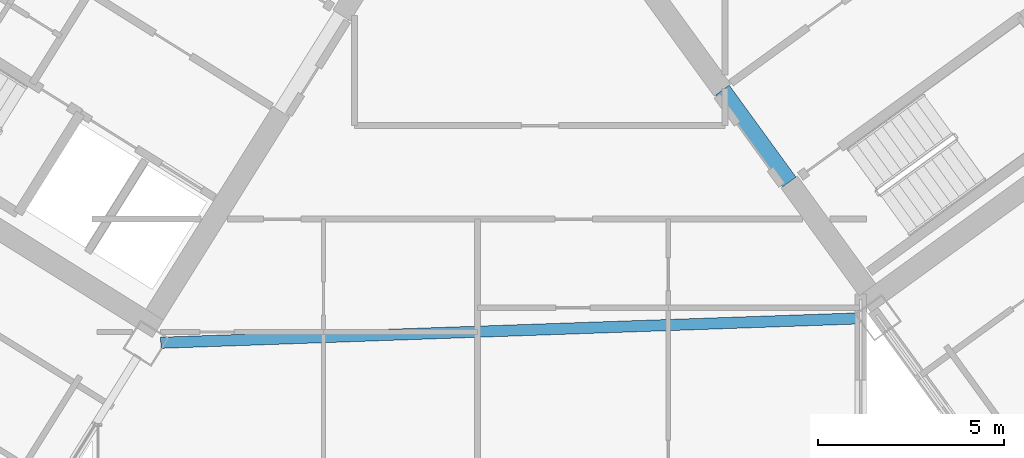
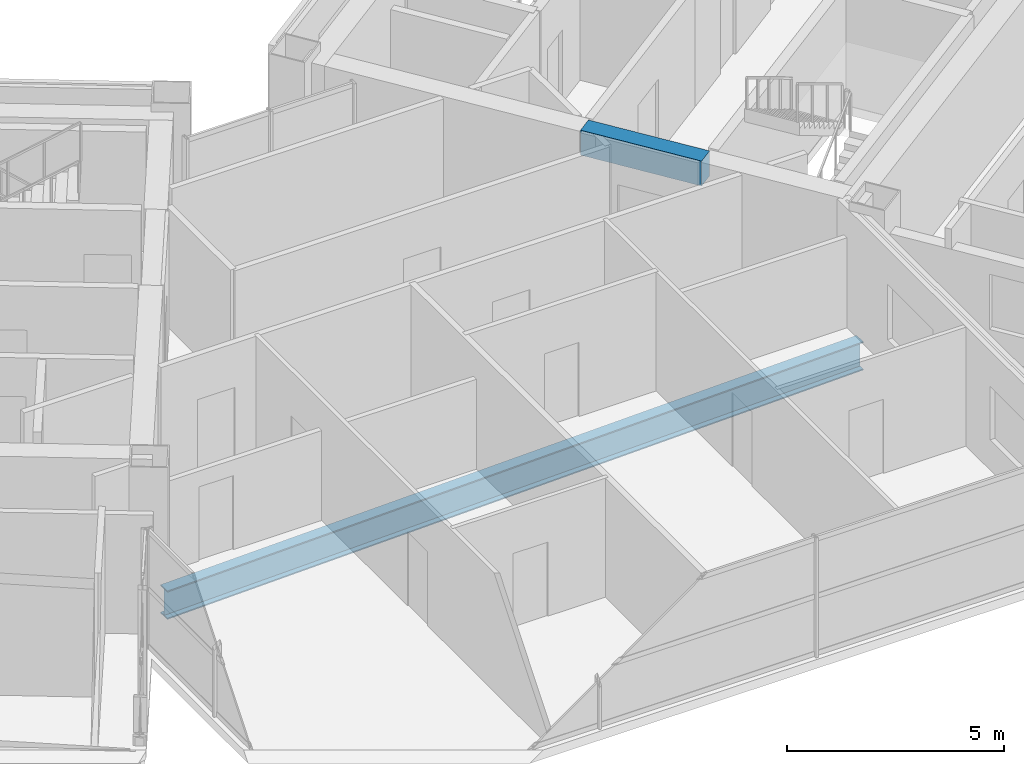
# One storey, part 9 of 29: 2 beams.
"""IFC4 building model written with IfcOpenShell, lengths in metres."""

from ifc_helpers import new_model, si_unit, direction, frame, origin, origin_2d, place, context, subcontext, project, spatial, rectangle, i_section, extrude, source, transform, mapped, material, material_profile, profile_set, type_object, element, save


model = new_model("IFC4")

# Units and contexts
model_context = context("Model", 3, precision=1e-05, world=origin(), true_north=direction((0.0, 1.0)))
body_context = subcontext(model_context, "Body", "Model", "MODEL_VIEW")
ifc_project = project(units=[si_unit("LENGTHUNIT", "METRE"), si_unit("AREAUNIT", "SQUARE_METRE"), si_unit("VOLUMEUNIT", "CUBIC_METRE"), si_unit("PLANEANGLEUNIT", "RADIAN"), si_unit("MASSUNIT", "GRAM", prefix="KILO")], contexts=[model_context])

# Site, building, storey
site_placement = place(None, origin())
site = spatial("IfcSite", under=ifc_project, at=site_placement, CompositionType="ELEMENT")
building_placement = place(site_placement, origin())
building = spatial("IfcBuilding", under=site, at=building_placement, Name="Tlacorven Tower", CompositionType="ELEMENT")
storey_placement = place(building_placement, frame((0.0, 0.0, 158.699951171875)))
storey = spatial("IfcBuildingStorey", under=building, at=storey_placement, Name="L40", CompositionType="ELEMENT", Elevation=158.699951171875)

# Beams
ifc_material_1 = material(Name="Concrete C60/75", Category="concrete")
ifc_material_profile_1 = material_profile(ifc_material_1, rectangle(XDim=0.449951171875, YDim=0.699951171875, at=origin_2d()), Name="RC 450X700")
ifc_profile_set_1 = profile_set([ifc_material_profile_1], Name="Concrete C60/75")
beam_type_1 = type_object("IfcBeamType", Name="BM-LNT-700", PredefinedType="LINTEL", material=ifc_profile_set_1)
shared_shape_1 = source(origin(), body_context, "Body", "SweptSolid", [
    extrude(rectangle(XDim=0.449951171875, YDim=0.699951171875, at=origin_2d()), origin(), (0.0, 0.0, 1.0), 3.050048828125),
])
beam_1_placement = place(storey_placement, frame((50.318359375, 16.416015625, 3.0), z_axis=(-0.587776590479, 0.80902328748, 0.0), x_axis=(-0.80902328748, -0.587776590479, 0.0)))
element("IfcBeam", 1, at=beam_1_placement, inside=storey, type_object=beam_type_1, Name="L40 E core coupling lintel beam E1", PredefinedType="LINTEL", context=body_context, shape_type="MappedRepresentation", body=[
    mapped(shared_shape_1, transform((0.0, 0.0, 0.0), scale=1.0)),
])
ifc_material_2 = material(Name="Steel S355J2", Category="steel")
ifc_material_profile_2 = material_profile(ifc_material_2, i_section(OverallWidth=0.300048828125, OverallDepth=0.800048828125, WebThickness=0.017578125, FlangeThickness=0.032958984375, at=origin_2d()), Name="HEB 800")
ifc_profile_set_2 = profile_set([ifc_material_profile_2], Name="Steel S355J2")
beam_type_2 = type_object("IfcBeamType", Name="BM-POD-800", PredefinedType="BEAM", material=ifc_profile_set_2)
shared_shape_2 = source(origin(), body_context, "Body", "SweptSolid", [
    extrude(i_section(OverallWidth=0.300048828125, OverallDepth=0.800048828125, WebThickness=0.017578125, FlangeThickness=0.032958984375, at=origin_2d()), origin(), (0.0, 0.0, 1.0), 18.871337890625),
])
beam_2_placement = place(storey_placement, frame((33.44580078125, 12.100830078125, -0.64990234375), z_axis=(0.999390659804, 0.034904284792, 0.0), x_axis=(-0.034904284792, 0.999390659804, 0.0)))
element("IfcBeam", 2, at=beam_2_placement, inside=storey, type_object=beam_type_2, Name="L40 Knuckle Link Girder 2", PredefinedType="BEAM", context=body_context, shape_type="MappedRepresentation", body=[
    mapped(shared_shape_2, transform((0.0, 0.0, 0.0), scale=1.0)),
])

save(model, "model.ifc")
